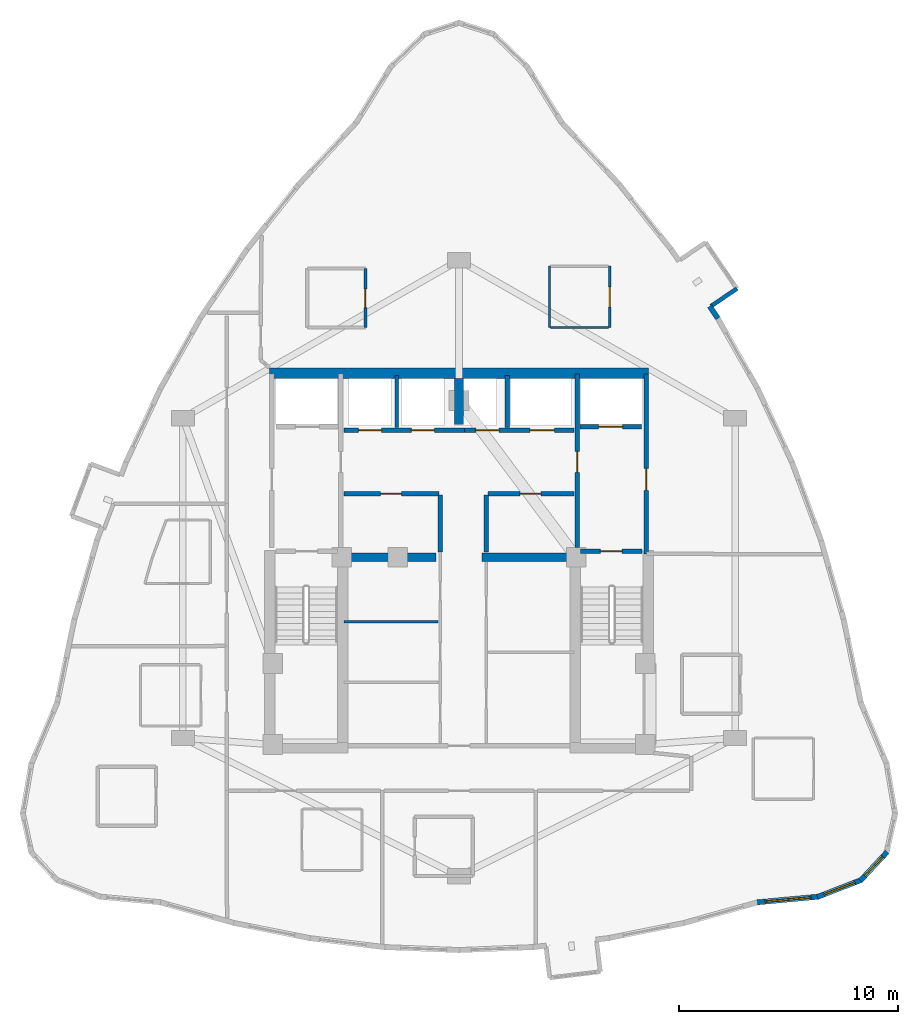
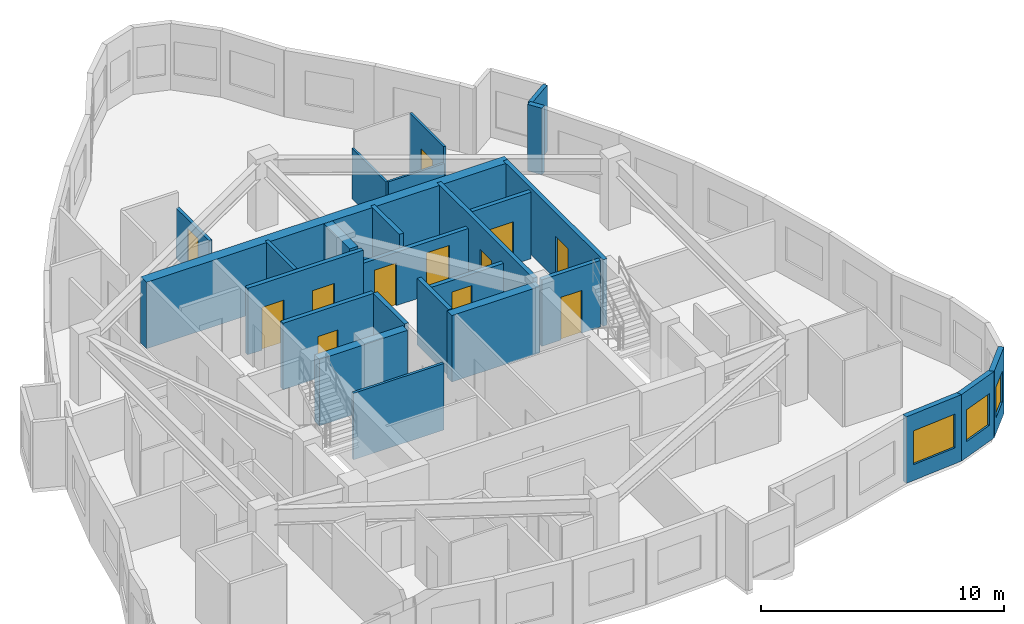
# One storey, part 6 of 9: 26 walls, 12 doors, 3 windows, 15 openings.
"""IFC4 building model written with IfcOpenShell, lengths in metres."""

import ifcopenshell
import ifcopenshell.guid

model = None  # the IFC model being written
_history = None  # IfcOwnerHistory: only IFC2X3 demands one
_inside = {}  # id of a spatial element -> (the spatial element, [elements in it])
_under = {}  # id of a project, library or spatial element -> (it, [spatial elements below it])
_declared = {}  # id of a project -> (the project, [libraries it declares])
_typed = {}  # id of a type object -> (the type object, [elements of that type])
_made_of = {}  # id of a material, layer set ... -> (it, [elements and type objects made of it])


def new_model(schema):
    """Start an empty IFC model of exactly this schema.

    Asked for "IFC4X3", IfcOpenShell would pick the latest addendum, in which some entities
    have other attributes; the version numbers below select the first issue.
    IFC2X3 requires an IfcOwnerHistory on every rooted entity: one is made here for all.
    """
    global model, _history
    if schema == "IFC4X3":
        model = ifcopenshell.file(schema_version=(4, 3, 0, 0))
    else:
        model = ifcopenshell.file(schema=schema)
    _inside.clear()
    _under.clear()
    _declared.clear()
    _typed.clear()
    _made_of.clear()
    _history = None
    if model.schema == "IFC2X3":
        org = make("IfcOrganization", Name="unknown")
        user = make(
            "IfcPersonAndOrganization",
            ThePerson=make("IfcPerson", FamilyName="unknown"),
            TheOrganization=org,
        )
        app = make(
            "IfcApplication",
            ApplicationDeveloper=org,
            Version="unknown",
            ApplicationFullName="unknown",
            ApplicationIdentifier="unknown",
        )
        _history = make(
            "IfcOwnerHistory",
            OwningUser=user,
            OwningApplication=app,
            ChangeAction="ADDED",
            CreationDate=0,
        )
    return model


def make(cls, **values):
    """One entity of the class cls with the attributes given. An attribute that is None is left unset."""
    return model.create_entity(
        cls, **{name: value for name, value in values.items() if value is not None}
    )


def rooted(cls, **values):
    """An entity with a GlobalId (a new one), such as an element, a storey or a relation."""
    return make(cls, GlobalId=ifcopenshell.guid.new(), OwnerHistory=_history, **values)


def si_unit(unit_type, name, prefix=None):
    """IfcSIUnit, for example si_unit("LENGTHUNIT", "METRE", prefix="MILLI")."""
    return make("IfcSIUnit", UnitType=unit_type, Prefix=prefix, Name=name)


def assignment(units):
    """IfcUnitAssignment: the units of a project."""
    return None if units is None else make("IfcUnitAssignment", Units=units)


def point(xyz):
    """IfcCartesianPoint."""
    return None if xyz is None else make("IfcCartesianPoint", Coordinates=xyz)


def direction(xyz):
    """IfcDirection."""
    return None if xyz is None else make("IfcDirection", DirectionRatios=xyz)


def frame(location, z_axis=None, x_axis=None):
    """IfcAxis2Placement3D, a coordinate frame: its origin and axes. An axis left out is left unset."""
    return make(
        "IfcAxis2Placement3D",
        Location=point(location),
        Axis=direction(z_axis),
        RefDirection=direction(x_axis),
    )


def frame_2d(location, x_axis=None):
    """IfcAxis2Placement2D, a coordinate frame in the plane: its origin and x axis."""
    return make(
        "IfcAxis2Placement2D", Location=point(location), RefDirection=direction(x_axis)
    )


def origin():
    """The frame at (0, 0, 0) with its axes left unset."""
    return frame((0.0, 0.0, 0.0))


def place(relative_to, where):
    """IfcLocalPlacement: puts the frame where relative to a parent placement (None: the world)."""
    return make(
        "IfcLocalPlacement", PlacementRelTo=relative_to, RelativePlacement=where
    )


def context(
    kind, dimensions, precision=None, world=None, true_north=None, identifier=None
):
    """IfcGeometricRepresentationContext, for example the 3D "Model" context."""
    return make(
        "IfcGeometricRepresentationContext",
        ContextIdentifier=identifier,
        ContextType=kind,
        CoordinateSpaceDimension=dimensions,
        Precision=precision,
        WorldCoordinateSystem=world,
        TrueNorth=true_north,
    )


def subcontext(parent, identifier, kind, view, scale=None):
    """IfcGeometricRepresentationSubContext, for example "Body" below "Model"."""
    return make(
        "IfcGeometricRepresentationSubContext",
        ContextIdentifier=identifier,
        ContextType=kind,
        ParentContext=parent,
        TargetScale=scale,
        TargetView=view,
    )


def project(units=None, contexts=None):
    """IfcProject with its units and contexts."""
    return rooted(
        "IfcProject",
        Name="project",
        RepresentationContexts=contexts,
        UnitsInContext=assignment(units),
    )


def spatial(cls, under=None, at=None, **own):
    """A site, building, storey or space (cls), placed at a placement, below another one or the project."""
    s = rooted(cls, ObjectPlacement=at, **own)
    if under is not None:
        _under.setdefault(under.id(), (under, []))[1].append(s)
    return s


def profile(cls, at=None, kind="AREA", **sizes):
    """A parametric profile (cls). Its sizes go by their IFC names, for example OverallWidth=200.0."""
    return make(cls, ProfileType=kind, Position=at, **sizes)


def rectangle(**sizes):
    """IfcRectangleProfileDef."""
    return profile("IfcRectangleProfileDef", **sizes)


def extrude(swept, where, along, depth):
    """IfcExtrudedAreaSolid: the profile swept, set in the frame where, extruded along a direction by depth."""
    return make(
        "IfcExtrudedAreaSolid",
        SweptArea=swept,
        Position=where,
        ExtrudedDirection=direction(along),
        Depth=depth,
    )


def shape(context_of_items, identifier, shape_type, items):
    """IfcShapeRepresentation: the items that make up one representation, for example the "Body"."""
    return make(
        "IfcShapeRepresentation",
        ContextOfItems=context_of_items,
        RepresentationIdentifier=identifier,
        RepresentationType=shape_type,
        Items=items,
    )


def material(Name=None, Category=None):
    """IfcMaterial."""
    return make("IfcMaterial", Name=Name, Category=Category)


def layer(
    of_material, thickness, ventilated=None, Name=None, Category=None, Priority=None
):
    """IfcMaterialLayer: one layer of a wall or slab, of a material (None: an air gap)."""
    return make(
        "IfcMaterialLayer",
        Material=of_material,
        LayerThickness=thickness,
        IsVentilated=ventilated,
        Name=Name,
        Category=Category,
        Priority=Priority,
    )


def layer_set(layers, Name=None):
    """IfcMaterialLayerSet."""
    return make("IfcMaterialLayerSet", MaterialLayers=layers, LayerSetName=Name)


def made_of(thing, what):
    """Note that an element or type object is made of a material, layer set ...; save() writes the relation."""
    if what is not None:
        _made_of.setdefault(what.id(), (what, []))[1].append(thing)
    return thing


def type_object(cls, material=None, **own):
    """A type object (cls), such as IfcWallType, which elements share."""
    return made_of(rooted(cls, **own), material)


def element(
    cls,
    number,
    at=None,
    inside=None,
    cuts=None,
    type_object=None,
    material=None,
    context=None,
    identifier="Body",
    shape_type=None,
    held_by="IfcProductDefinitionShape",
    body=None,
    shapes=None,
    **own,
):
    """One element of the class cls, such as IfcWall. Its Tag is "e" and its number.

    at: its placement. inside: the storey or other place that contains it. cuts: it is an
    opening in that element (IfcRelVoidsElement). A single representation is given by context,
    identifier, shape_type and body (its items); several are given by shapes. held_by: the class
    of the entity that holds the representations. save() writes the other relations.
    """
    e = rooted(cls, Tag="e%d" % number, ObjectPlacement=at, **own)
    if body is not None:
        shapes = [shape(context, identifier, shape_type, body)]
    if shapes is not None:
        e.Representation = make(held_by, Representations=shapes)
    if inside is not None:
        _inside.setdefault(inside.id(), (inside, []))[1].append(e)
    if cuts is not None:
        rooted(
            "IfcRelVoidsElement", RelatingBuildingElement=cuts, RelatedOpeningElement=e
        )
    if type_object is not None:
        _typed.setdefault(type_object.id(), (type_object, []))[1].append(e)
    return made_of(e, material)


def fill(opening, filler):
    """IfcRelFillsElement: the door or window that sits in an opening."""
    return rooted(
        "IfcRelFillsElement",
        RelatingOpeningElement=opening,
        RelatedBuildingElement=filler,
    )


def aggregate(whole, parts):
    """IfcRelAggregates: a whole, such as a stair, and the parts it consists of."""
    return rooted("IfcRelAggregates", RelatingObject=whole, RelatedObjects=parts)


def save(model, path):
    """Write the relations noted so far, then the file.

    IfcRelAggregates (storeys below a building ...), IfcRelContainedInSpatialStructure (elements
    in a storey), IfcRelDefinesByType, IfcRelAssociatesMaterial and IfcRelDeclares: one each for
    every whole, place, type object, material and project.
    """
    for whole, parts in _under.values():
        aggregate(whole, parts)
    for where, things in _inside.values():
        rooted(
            "IfcRelContainedInSpatialStructure",
            RelatedElements=things,
            RelatingStructure=where,
        )
    for kind, things in _typed.values():
        rooted("IfcRelDefinesByType", RelatedObjects=things, RelatingType=kind)
    for what, things in _made_of.values():
        rooted("IfcRelAssociatesMaterial", RelatedObjects=things, RelatingMaterial=what)
    for by, libraries in _declared.values():
        rooted("IfcRelDeclares", RelatingContext=by, RelatedDefinitions=libraries)
    model.write(path)


model = new_model("IFC4")

# Units and contexts
model_context = context("Model", 3, precision=1e-05, world=origin(), true_north=direction((0.0, 1.0)))
body_context = subcontext(model_context, "Body", "Model", "MODEL_VIEW")
ifc_project = project(units=[si_unit("LENGTHUNIT", "METRE"), si_unit("AREAUNIT", "SQUARE_METRE"), si_unit("VOLUMEUNIT", "CUBIC_METRE"), si_unit("PLANEANGLEUNIT", "RADIAN"), si_unit("MASSUNIT", "GRAM", prefix="KILO")], contexts=[model_context])

# Site, building, storey
site_placement = place(None, origin())
site = spatial("IfcSite", under=ifc_project, at=site_placement, CompositionType="ELEMENT")
building_placement = place(site_placement, origin())
building = spatial("IfcBuilding", under=site, at=building_placement, Name="Miruveldt Soraemaru", CompositionType="ELEMENT")
storey_placement = place(building_placement, frame((0.0, 0.0, 241.199951171875)))
storey = spatial("IfcBuildingStorey", under=building, at=storey_placement, Name="L66", CompositionType="ELEMENT", Elevation=241.199951171875)

# Walls
ifc_material_1 = material(Name="White powder-coated aluminium EN AW-6060 T6", Category="aluminium")
ifc_layer_1 = layer(ifc_material_1, 0.18994140625, Name="White powder-coated aluminium EN AW-6060 T6", Category="aluminium")
ifc_layer_set_1 = layer_set([ifc_layer_1], Name="White powder-coated aluminium EN AW-6060 T6")
wall_type_1 = type_object("IfcWallType", Name="WALL-BAY-ALU190", PredefinedType="SOLIDWALL", material=ifc_layer_set_1)
wall_1_placement = place(storey_placement, frame((55.5068359375, 55.509521484375, 0.0), z_axis=(0.0, 0.0, 1.0), x_axis=(0.827916124573, 0.56085193293, 0.0)))
element("IfcWall", 1, at=wall_1_placement, inside=storey, type_object=wall_type_1, Name="L66 Bay Window Side Cheek 3L", PredefinedType="SOLIDWALL", context=body_context, shape_type="SweptSolid", body=[
    extrude(rectangle(XDim=1.42529296875, YDim=0.18994140625, at=frame_2d((0.712646484375, 0.0))), origin(), (0.0, 0.0, 1.0), 3.344970703125),
])
ifc_material_2 = material(Name="Concrete C70/85 (70 MPa)", Category="concrete")
ifc_layer_2 = layer(ifc_material_2, 0.5, Name="Concrete C70/85 (70 MPa)", Category="concrete")
ifc_layer_set_2 = layer_set([ifc_layer_2], Name="Concrete C70/85 (70 MPa)")
wall_type_2 = type_object("IfcWallType", Name="WALL-BW-500", PredefinedType="SHEAR", material=ifc_layer_set_2)
wall_2_placement = place(storey_placement, frame((44.0, 50.10009765625, 0.0), z_axis=(0.0, 0.0, 1.0), x_axis=(0.0, 1.0, 0.0)))
element("IfcWall", 2, at=wall_2_placement, inside=storey, type_object=wall_type_2, Name="L66 Core Buttress Shear Wall BN", PredefinedType="SHEAR", context=body_context, shape_type="SweptSolid", body=[
    extrude(rectangle(XDim=2.099853515625, YDim=0.39990234375, at=frame_2d((1.0498046875, 0.0))), origin(), (0.0, 0.0, 1.0), 3.344970703125),
])
for number, where, z_axis, x_axis, name in (
    (3, (38.75, 44.050048828125, 0.0), (0.0, 0.0, 1.0), (1.0, 0.0, 0.0), "L66 Core Buttress Shear Wall BW"),
    (4, (45.050048828125, 44.050048828125, 0.0), (0.0, 0.0, 1.0), (1.0, 0.0, 0.0), "L66 Core Buttress Shear Wall BE"),
):
    element("IfcWall", number, at=place(storey_placement, frame(where, z_axis=z_axis, x_axis=x_axis)), inside=storey, type_object=wall_type_2, Name=name, PredefinedType="SHEAR", context=body_context, shape_type="SweptSolid", body=[
        extrude(rectangle(XDim=4.199951171875, YDim=0.39990234375, at=frame_2d((2.10009765625, 0.0))), origin(), (0.0, 0.0, 1.0), 3.344970703125),
    ])
ifc_material_3 = material(Name="Concrete C60/75 (60 MPa)", Category="concrete")
ifc_layer_3 = layer(ifc_material_3, 0.47998046875, Name="Concrete C60/75 (60 MPa)", Category="concrete")
ifc_layer_set_3 = layer_set([ifc_layer_3], Name="Concrete C60/75 (60 MPa)")
wall_type_3 = type_object("IfcWallType", Name="WALL-CW-480", PredefinedType="SHEAR", material=ifc_layer_set_3)
wall_3_placement = place(storey_placement, frame((35.35009765625, 52.449951171875, 0.0), z_axis=(0.0, 0.0, 1.0), x_axis=(1.0, 0.0, 0.0)))
element("IfcWall", 5, at=wall_3_placement, inside=storey, type_object=wall_type_3, Name="L66 Central Core Shear Wall N", PredefinedType="SHEAR", context=body_context, shape_type="SweptSolid", body=[
    extrude(rectangle(XDim=17.2998046875, YDim=0.47998046875, at=frame_2d((8.64990234375, 0.0))), origin(), (0.0, 0.0, 1.0), 3.344970703125),
])

# Wall, opening, window
ifc_material_4 = material(Name="Precast concrete C45/55 (45 MPa)", Category="concrete")
ifc_layer_4 = layer(ifc_material_4, 0.239990234375, Name="Precast concrete C45/55 (45 MPa)", Category="concrete")
ifc_layer_set_4 = layer_set([ifc_layer_4], Name="Precast concrete C45/55 (45 MPa)")
wall_type_4 = type_object("IfcWallType", Name="WALL-EXT-PC240", PredefinedType="SOLIDWALL", material=ifc_layer_set_4)
wall_4_placement = place(storey_placement, frame((57.616455078125, 28.30078125, 0.0), z_axis=(0.0, 0.0, 1.0), x_axis=(0.995761555679, 0.09197241017, 0.0)))
wall_4 = element("IfcWall", 6, at=wall_4_placement, inside=storey, type_object=wall_type_4, Name="L66 Precast Concrete Facade Wall 29", PredefinedType="SOLIDWALL", context=body_context, shape_type="SweptSolid", body=[
    extrude(rectangle(XDim=2.819091796875, YDim=0.239990234375, at=frame_2d((1.40966796875, 0.0))), origin(), (0.0, 0.0, 1.0), 3.344970703125),
])
opening_1_placement = place(wall_4_placement, frame((0.35888671875, 0.0, 0.800048828125)))
opening_1 = element("IfcOpeningElement", 7, at=opening_1_placement, cuts=wall_4, Name="Opening WN-1", PredefinedType="OPENING", context=body_context, shape_type="SweptSolid", body=[
    extrude(rectangle(XDim=2.10009765625, YDim=1.699951171875, at=frame_2d((1.050048828125, 0.85009765625))), frame((0.0, 0.1298828125, 0.0), z_axis=(0.0, -1.0, 0.0), x_axis=(1.0, 0.0, 0.0)), (0.0, 0.0, 1.0), 0.260009765625),
])
ifc_material_5 = material(Name="Triple low-e insulated glazing", Category="glass")
window_type_1 = type_object("IfcWindowType", Name="WIN-PUNCH-2100x1700", PartitioningType="SINGLE_PANEL", PredefinedType="WINDOW", material=ifc_material_5)
window_1_placement = place(opening_1_placement, origin())
window_1 = element("IfcWindow", 8, at=window_1_placement, inside=storey, type_object=window_type_1, Name="L66 Punched Triple-Glazed Window 29.1", OverallHeight=1.699951171875, OverallWidth=2.10009765625, PartitioningType="SINGLE_PANEL", PredefinedType="WINDOW", context=body_context, shape_type="SweptSolid", body=[
    extrude(rectangle(XDim=2.10009765625, YDim=1.699951171875, at=frame_2d((1.050048828125, 0.85009765625))), frame((0.0, 0.030029296875, 0.0), z_axis=(0.0, -1.0, 0.0), x_axis=(1.0, 0.0, 0.0)), (0.0, 0.0, 1.0), 0.06005859375),
])
fill(opening_1, window_1)

wall_5_placement = place(storey_placement, frame((60.35595703125, 28.544189453125, 0.0), z_axis=(0.0, 0.0, 1.0), x_axis=(0.932287671793, 0.361717703495, 0.0)))
wall_5 = element("IfcWall", 9, at=wall_5_placement, inside=storey, type_object=wall_type_4, Name="L66 Precast Concrete Facade Wall 30", PredefinedType="SOLIDWALL", context=body_context, shape_type="SweptSolid", body=[
    extrude(rectangle(XDim=2.167236328125, YDim=0.239990234375, at=frame_2d((1.08349609375, 0.0))), origin(), (0.0, 0.0, 1.0), 3.344970703125),
])
opening_2_placement = place(wall_5_placement, frame((0.333984375, 0.0, 0.800048828125)))
opening_2 = element("IfcOpeningElement", 10, at=opening_2_placement, cuts=wall_5, Name="Opening WN-3", PredefinedType="OPENING", context=body_context, shape_type="SweptSolid", body=[
    extrude(rectangle(XDim=1.5, YDim=1.60009765625, at=frame_2d((0.75, 0.800048828125))), frame((0.0, 0.1298828125, 0.0), z_axis=(0.0, -1.0, 0.0), x_axis=(1.0, 0.0, 0.0)), (0.0, 0.0, 1.0), 0.260009765625),
])
window_type_2 = type_object("IfcWindowType", Name="WIN-PUNCH-1500x1600", PartitioningType="SINGLE_PANEL", PredefinedType="WINDOW", material=ifc_material_5)
window_2_placement = place(opening_2_placement, origin())
window_2 = element("IfcWindow", 11, at=window_2_placement, inside=storey, type_object=window_type_2, Name="L66 Punched Triple-Glazed Window 30.1", OverallHeight=1.60009765625, OverallWidth=1.5, PartitioningType="SINGLE_PANEL", PredefinedType="WINDOW", context=body_context, shape_type="SweptSolid", body=[
    extrude(rectangle(XDim=1.5, YDim=1.60009765625, at=frame_2d((0.75, 0.800048828125))), frame((0.0, 0.030029296875, 0.0), z_axis=(0.0, -1.0, 0.0), x_axis=(1.0, 0.0, 0.0)), (0.0, 0.0, 1.0), 0.06005859375),
])
fill(opening_2, window_2)

wall_6_placement = place(storey_placement, frame((62.320068359375, 29.289794921875, 0.0), z_axis=(0.0, 0.0, 1.0), x_axis=(0.680153639161, 0.733069592287, 0.0)))
wall_6 = element("IfcWall", 12, at=wall_6_placement, inside=storey, type_object=wall_type_4, Name="L66 Precast Concrete Facade Wall 31", PredefinedType="SOLIDWALL", context=body_context, shape_type="SweptSolid", body=[
    extrude(rectangle(XDim=1.794677734375, YDim=0.239990234375, at=frame_2d((0.8974609375, 0.0))), origin(), (0.0, 0.0, 1.0), 3.344970703125),
])
opening_3_placement = place(wall_6_placement, frame((0.297119140625, 0.0, 0.780029296875)))
opening_3 = element("IfcOpeningElement", 13, at=opening_3_placement, cuts=wall_6, Name="Opening WN-4", PredefinedType="OPENING", context=body_context, shape_type="SweptSolid", body=[
    extrude(rectangle(XDim=1.199951171875, YDim=1.550048828125, at=frame_2d((0.60009765625, 0.77490234375))), frame((0.0, 0.1298828125, 0.0), z_axis=(0.0, -1.0, 0.0), x_axis=(1.0, 0.0, 0.0)), (0.0, 0.0, 1.0), 0.260009765625),
])
window_type_3 = type_object("IfcWindowType", Name="WIN-PUNCH-1200x1550", PartitioningType="SINGLE_PANEL", PredefinedType="WINDOW", material=ifc_material_5)
window_3_placement = place(opening_3_placement, origin())
window_3 = element("IfcWindow", 14, at=window_3_placement, inside=storey, type_object=window_type_3, Name="L66 Punched Triple-Glazed Window 31.1", OverallHeight=1.550048828125, OverallWidth=1.199951171875, PartitioningType="SINGLE_PANEL", PredefinedType="WINDOW", context=body_context, shape_type="SweptSolid", body=[
    extrude(rectangle(XDim=1.199951171875, YDim=1.550048828125, at=frame_2d((0.60009765625, 0.77490234375))), frame((0.0, 0.030029296875, 0.0), z_axis=(0.0, -1.0, 0.0), x_axis=(1.0, 0.0, 0.0)), (0.0, 0.0, 1.0), 0.06005859375),
])
fill(opening_3, window_3)

# Wall
wall_7_placement = place(storey_placement, frame((55.8173828125, 54.953125, 0.0), z_axis=(0.0, 0.0, 1.0), x_axis=(-0.560701993018, 0.828017677967, 0.0)))
element("IfcWall", 15, at=wall_7_placement, inside=storey, type_object=wall_type_4, Name="L66 Precast Pier Wall 40A", PredefinedType="SOLIDWALL", context=body_context, shape_type="SweptSolid", body=[
    extrude(rectangle(XDim=0.664794921875, YDim=0.239990234375, at=frame_2d((0.33251953125, 0.0))), origin(), (0.0, 0.0, 1.0), 3.344970703125),
])

# Wall, opening, door
ifc_material_6 = material(Name="Gypsum plasterboard lining", Category="gypsum")
ifc_layer_5 = layer(ifc_material_6, 0.10009765625, Name="Gypsum plasterboard lining", Category="gypsum")
ifc_layer_set_5 = layer_set([ifc_layer_5], Name="Gypsum plasterboard lining")
wall_type_5 = type_object("IfcWallType", Name="WALL-INT-P100", PredefinedType="PARTITIONING", material=ifc_layer_set_5)
wall_8_placement = place(storey_placement, frame((50.8798828125, 54.530029296875, 0.0), z_axis=(0.0, 0.0, 1.0), x_axis=(0.0, 1.0, 0.0)))
wall_8 = element("IfcWall", 16, at=wall_8_placement, inside=storey, type_object=wall_type_5, Name="L66 Partition Wall 17", PredefinedType="PARTITIONING", context=body_context, shape_type="SweptSolid", body=[
    extrude(rectangle(XDim=2.800048828125, YDim=0.10009765625, at=frame_2d((1.39990234375, 0.0))), origin(), (0.0, 0.0, 1.0), 3.344970703125),
])
opening_4_placement = place(wall_8_placement, frame((0.93994140625, 0.0, 0.0)))
opening_4 = element("IfcOpeningElement", 17, at=opening_4_placement, cuts=wall_8, Name="Opening D3A", PredefinedType="OPENING", context=body_context, shape_type="SweptSolid", body=[
    extrude(rectangle(XDim=0.919921875, YDim=2.10009765625, at=frame_2d((0.4599609375, 1.050048828125))), frame((0.0, 0.06005859375, 0.0), z_axis=(0.0, -1.0, 0.0), x_axis=(1.0, 0.0, 0.0)), (0.0, 0.0, 1.0), 0.1201171875),
])
ifc_material_7 = material(Name="Anodised aluminium EN AW-6063 T6", Category="aluminium")
door_type_1 = type_object("IfcDoorType", Name="DOOR-INT-920", OperationType="NOTDEFINED", PredefinedType="DOOR", material=ifc_material_7)
door_1_placement = place(opening_4_placement, origin())
door_1 = element("IfcDoor", 18, at=door_1_placement, inside=storey, type_object=door_type_1, Name="L66 Unit CL01 KIT Door", OperationType="SINGLE_SWING_RIGHT", OverallHeight=2.10009765625, OverallWidth=0.919921875, PredefinedType="DOOR", context=body_context, shape_type="SweptSolid", body=[
    extrude(rectangle(XDim=0.919921875, YDim=2.10009765625, at=frame_2d((0.4599609375, 1.050048828125))), frame((0.0, 0.02490234375, 0.0), z_axis=(0.0, -1.0, 0.0), x_axis=(1.0, 0.0, 0.0)), (0.0, 0.0, 1.0), 0.050048828125),
])
fill(opening_4, door_1)

# Walls
wall_9_placement = place(storey_placement, frame((48.1298828125, 57.330078125, 0.0), z_axis=(0.0, 0.0, 1.0), x_axis=(0.0, -1.0, 0.0)))
element("IfcWall", 19, at=wall_9_placement, inside=storey, type_object=wall_type_5, Name="L66 Partition Wall 19", PredefinedType="PARTITIONING", context=body_context, shape_type="SweptSolid", body=[
    extrude(rectangle(XDim=2.800048828125, YDim=0.10009765625, at=frame_2d((1.39990234375, 0.0))), origin(), (0.0, 0.0, 1.0), 2.532958984375),
])
wall_10_placement = place(storey_placement, frame((48.179931640625, 54.530029296875, 0.0), z_axis=(0.0, 0.0, 1.0), x_axis=(1.0, 0.0, 0.0)))
element("IfcWall", 20, at=wall_10_placement, inside=storey, type_object=wall_type_5, Name="L66 Partition Wall 20", PredefinedType="PARTITIONING", context=body_context, shape_type="SweptSolid", body=[
    extrude(rectangle(XDim=2.650146484375, YDim=0.10009765625, at=frame_2d((1.3251953125, 0.0))), origin(), (0.0, 0.0, 1.0), 2.532958984375),
])
ifc_layer_6 = layer(ifc_material_6, 0.1201171875, Name="Gypsum plasterboard lining", Category="gypsum")
ifc_layer_set_6 = layer_set([ifc_layer_6], Name="Gypsum plasterboard lining")
wall_type_6 = type_object("IfcWallType", Name="WALL-INT-P120", PredefinedType="PARTITIONING", material=ifc_layer_set_6)
wall_11_placement = place(storey_placement, frame((38.75, 41.10009765625, 0.0), z_axis=(0.0, 0.0, 1.0), x_axis=(1.0, 0.0, 0.0)))
element("IfcWall", 21, at=wall_11_placement, inside=storey, type_object=wall_type_6, Name="L66 Core Compartment Wall RL-W3B", PredefinedType="PARTITIONING", context=body_context, shape_type="SweptSolid", body=[
    extrude(rectangle(XDim=4.300048828125, YDim=0.1201171875, at=frame_2d((2.14990234375, 0.0))), origin(), (0.0, 0.0, 1.0), 3.344970703125),
])

# Wall, opening, door
ifc_layer_7 = layer(ifc_material_6, 0.14990234375, Name="Gypsum plasterboard lining", Category="gypsum")
ifc_layer_set_7 = layer_set([ifc_layer_7], Name="Gypsum plasterboard lining")
wall_type_7 = type_object("IfcWallType", Name="WALL-INT-PLUMB", PredefinedType="PLUMBINGWALL", material=ifc_layer_set_7)
wall_12_placement = place(storey_placement, frame((39.72998046875, 54.530029296875, 0.0), z_axis=(0.0, 0.0, 1.0), x_axis=(0.0, 1.0, 0.0)))
wall_12 = element("IfcWall", 22, at=wall_12_placement, inside=storey, type_object=wall_type_7, Name="L66 Partition Wall 13", PredefinedType="PLUMBINGWALL", context=body_context, shape_type="SweptSolid", body=[
    extrude(rectangle(XDim=2.699951171875, YDim=0.14990234375, at=frame_2d((1.35009765625, 0.0))), origin(), (0.0, 0.0, 1.0), 2.532958984375),
])
opening_5_placement = place(wall_12_placement, frame((0.909912109375, 0.0, 0.0)))
opening_5 = element("IfcOpeningElement", 23, at=opening_5_placement, cuts=wall_12, Name="Opening FD3", PredefinedType="OPENING", context=body_context, shape_type="SweptSolid", body=[
    extrude(rectangle(XDim=0.85009765625, YDim=2.10009765625, at=frame_2d((0.425048828125, 1.050048828125))), frame((0.0, 0.0849609375, 0.0), z_axis=(0.0, -1.0, 0.0), x_axis=(1.0, 0.0, 0.0)), (0.0, 0.0, 1.0), 0.169921875),
])
door_type_2 = type_object("IfcDoorType", Name="DOOR-FD3-850", OperationType="NOTDEFINED", PredefinedType="DOOR", material=ifc_material_7)
door_2_placement = place(opening_5_placement, origin())
door_2 = element("IfcDoor", 24, at=door_2_placement, inside=storey, type_object=door_type_2, Name="L66 Unit CL01 BTH Door", OperationType="SINGLE_SWING_LEFT", OverallHeight=2.10009765625, OverallWidth=0.85009765625, PredefinedType="DOOR", context=body_context, shape_type="SweptSolid", body=[
    extrude(rectangle(XDim=0.85009765625, YDim=2.10009765625, at=frame_2d((0.425048828125, 1.050048828125))), frame((0.0, 0.02490234375, 0.0), z_axis=(0.0, -1.0, 0.0), x_axis=(1.0, 0.0, 0.0)), (0.0, 0.0, 1.0), 0.050048828125),
])
fill(opening_5, door_2)

# Wall
ifc_material_8 = material(Name="Concrete C40/50 (40 MPa)", Category="concrete")
ifc_layer_8 = layer(ifc_material_8, 0.159912109375, Name="Concrete C40/50 (40 MPa)", Category="concrete")
ifc_layer_set_8 = layer_set([ifc_layer_8], Name="Concrete C40/50 (40 MPa)")
wall_type_8 = type_object("IfcWallType", Name="WALL-INT-RC160", PredefinedType="SOLIDWALL", material=ifc_layer_set_8)
wall_13_placement = place(storey_placement, frame((41.14990234375, 49.97998046875, 0.0), z_axis=(0.0, 0.0, 1.0), x_axis=(0.0, 1.0, 0.0)))
element("IfcWall", 25, at=wall_13_placement, inside=storey, type_object=wall_type_8, Name="L66 Core Compartment Wall PLH-DIV1", PredefinedType="SOLIDWALL", context=body_context, shape_type="SweptSolid", body=[
    extrude(rectangle(XDim=2.3701171875, YDim=0.159912109375, at=frame_2d((1.18505859375, 0.0))), origin(), (0.0, 0.0, 1.0), 3.344970703125),
])

# Wall, opening, door
ifc_layer_9 = layer(ifc_material_8, 0.199951171875, Name="Concrete C40/50 (40 MPa)", Category="concrete")
ifc_layer_set_9 = layer_set([ifc_layer_9], Name="Concrete C40/50 (40 MPa)")
wall_type_9 = type_object("IfcWallType", Name="WALL-INT-RC200", PredefinedType="SOLIDWALL", material=ifc_layer_set_9)
wall_14_placement = place(storey_placement, frame((52.550048828125, 44.205322265625, 0.0), z_axis=(0.0, 0.0, 1.0), x_axis=(0.0, 1.0, 0.0)))
wall_14 = element("IfcWall", 26, at=wall_14_placement, inside=storey, type_object=wall_type_9, Name="L66 Core Compartment Wall FFE-OUT", PredefinedType="SOLIDWALL", context=body_context, shape_type="SweptSolid", body=[
    extrude(rectangle(XDim=8.214599609375, YDim=0.199951171875, at=frame_2d((4.107421875, 0.0))), origin(), (0.0, 0.0, 1.0), 3.344970703125),
])
opening_6_placement = place(wall_14_placement, frame((2.89501953125, 0.0, 0.0)))
opening_6 = element("IfcOpeningElement", 27, at=opening_6_placement, cuts=wall_14, Name="Opening FD1", PredefinedType="OPENING", context=body_context, shape_type="SweptSolid", body=[
    extrude(rectangle(XDim=1.0, YDim=2.14990234375, at=frame_2d((0.5, 1.074951171875))), frame((0.0, 0.10986328125, 0.0), z_axis=(0.0, -1.0, 0.0), x_axis=(1.0, 0.0, 0.0)), (0.0, 0.0, 1.0), 0.219970703125),
])
door_type_3 = type_object("IfcDoorType", Name="DOOR-FD1-1000", OperationType="NOTDEFINED", PredefinedType="DOOR", material=ifc_material_7)
door_3_placement = place(opening_6_placement, frame((1.0, 0.0, 0.0), z_axis=(0.0, 0.0, 1.0), x_axis=(-1.0, 0.0, 0.0)))
door_3 = element("IfcDoor", 28, at=door_3_placement, inside=storey, type_object=door_type_3, Name="L66 East Firefighting Lobby Exit Door", OperationType="SINGLE_SWING_RIGHT", OverallHeight=2.14990234375, OverallWidth=1.0, PredefinedType="DOOR", context=body_context, shape_type="SweptSolid", body=[
    extrude(rectangle(XDim=1.0, YDim=2.14990234375, at=frame_2d((0.5, 1.074951171875))), frame((0.0, 0.02490234375, 0.0), z_axis=(0.0, -1.0, 0.0), x_axis=(1.0, 0.0, 0.0)), (0.0, 0.0, 1.0), 0.050048828125),
])
fill(opening_6, door_3)

wall_15_placement = place(storey_placement, frame((49.39990234375, 44.5, 0.0), z_axis=(0.0, 0.0, 1.0), x_axis=(0.0, 1.0, 0.0)))
wall_15 = element("IfcWall", 29, at=wall_15_placement, inside=storey, type_object=wall_type_9, Name="L66 Core Compartment Wall FFE-IN", PredefinedType="SOLIDWALL", context=body_context, shape_type="SweptSolid", body=[
    extrude(rectangle(XDim=7.919921875, YDim=0.199951171875, at=frame_2d((3.9599609375, 0.0))), origin(), (0.0, 0.0, 1.0), 3.344970703125),
])
opening_7_placement = place(wall_15_placement, frame((3.425048828125, 0.0, 0.0)))
opening_7 = element("IfcOpeningElement", 30, at=opening_7_placement, cuts=wall_15, Name="Opening FD2", PredefinedType="OPENING", context=body_context, shape_type="SweptSolid", body=[
    extrude(rectangle(XDim=0.949951171875, YDim=2.14990234375, at=frame_2d((0.47509765625, 1.074951171875))), frame((0.0, 0.10986328125, 0.0), z_axis=(0.0, -1.0, 0.0), x_axis=(1.0, 0.0, 0.0)), (0.0, 0.0, 1.0), 0.219970703125),
])
door_type_4 = type_object("IfcDoorType", Name="DOOR-FD2-950", OperationType="NOTDEFINED", PredefinedType="DOOR", material=ifc_material_7)
door_4_placement = place(opening_7_placement, origin())
door_4 = element("IfcDoor", 31, at=door_4_placement, inside=storey, type_object=door_type_4, Name="L66 Lift Lobby to East Fire Lobby Door", OperationType="SINGLE_SWING_LEFT", OverallHeight=2.14990234375, OverallWidth=0.949951171875, PredefinedType="DOOR", context=body_context, shape_type="SweptSolid", body=[
    extrude(rectangle(XDim=0.949951171875, YDim=2.14990234375, at=frame_2d((0.47509765625, 1.074951171875))), frame((0.0, 0.02490234375, 0.0), z_axis=(0.0, -1.0, 0.0), x_axis=(1.0, 0.0, 0.0)), (0.0, 0.0, 1.0), 0.050048828125),
])
fill(opening_7, door_4)

# Wall, openings, doors
wall_16_placement = place(storey_placement, frame((38.75, 49.85009765625, 0.0), z_axis=(0.0, 0.0, 1.0), x_axis=(1.0, 0.0, 0.0)))
wall_16 = element("IfcWall", 32, at=wall_16_placement, inside=storey, type_object=wall_type_9, Name="L66 Core Compartment Wall ROWA-SW", PredefinedType="SOLIDWALL", context=body_context, shape_type="SweptSolid", body=[
    extrude(rectangle(XDim=5.5, YDim=0.199951171875, at=frame_2d((2.75, 0.0))), origin(), (0.0, 0.0, 1.0), 3.344970703125),
])
opening_8_placement = place(wall_16_placement, frame((0.675048828125, 0.0, 0.0)))
opening_8 = element("IfcOpeningElement", 33, at=opening_8_placement, cuts=wall_16, Name="Opening LD1", PredefinedType="OPENING", context=body_context, shape_type="SweptSolid", body=[
    extrude(rectangle(XDim=1.050048828125, YDim=2.14990234375, at=frame_2d((0.52490234375, 1.074951171875))), frame((0.0, 0.10986328125, 0.0), z_axis=(0.0, -1.0, 0.0), x_axis=(1.0, 0.0, 0.0)), (0.0, 0.0, 1.0), 0.219970703125),
])
opening_9_placement = place(wall_16_placement, frame((3.074951171875, 0.0, 0.0)))
opening_9 = element("IfcOpeningElement", 34, at=opening_9_placement, cuts=wall_16, Name="Opening LD1", PredefinedType="OPENING", context=body_context, shape_type="SweptSolid", body=[
    extrude(rectangle(XDim=1.050048828125, YDim=2.14990234375, at=frame_2d((0.52490234375, 1.074951171875))), frame((0.0, 0.10986328125, 0.0), z_axis=(0.0, -1.0, 0.0), x_axis=(1.0, 0.0, 0.0)), (0.0, 0.0, 1.0), 0.219970703125),
])
door_type_5 = type_object("IfcDoorType", Name="DOOR-LD1-1050", OperationType="SLIDING_TO_LEFT", PredefinedType="DOOR", material=ifc_material_7)
door_5_placement = place(opening_8_placement, origin())
door_5 = element("IfcDoor", 35, at=door_5_placement, inside=storey, type_object=door_type_5, Name="L66 PL-H1 Landing Door", OperationType="SLIDING_TO_LEFT", OverallHeight=2.14990234375, OverallWidth=1.050048828125, PredefinedType="DOOR", context=body_context, shape_type="SweptSolid", body=[
    extrude(rectangle(XDim=1.050048828125, YDim=2.14990234375, at=frame_2d((0.52490234375, 1.074951171875))), frame((0.0, 0.02490234375, 0.0), z_axis=(0.0, -1.0, 0.0), x_axis=(1.0, 0.0, 0.0)), (0.0, 0.0, 1.0), 0.050048828125),
])
fill(opening_8, door_5)
door_6_placement = place(opening_9_placement, origin())
door_6 = element("IfcDoor", 36, at=door_6_placement, inside=storey, type_object=door_type_5, Name="L66 PL-H2 Landing Door", OperationType="SLIDING_TO_LEFT", OverallHeight=2.14990234375, OverallWidth=1.050048828125, PredefinedType="DOOR", context=body_context, shape_type="SweptSolid", body=[
    extrude(rectangle(XDim=1.050048828125, YDim=2.14990234375, at=frame_2d((0.52490234375, 1.074951171875))), frame((0.0, 0.02490234375, 0.0), z_axis=(0.0, -1.0, 0.0), x_axis=(1.0, 0.0, 0.0)), (0.0, 0.0, 1.0), 0.050048828125),
])
fill(opening_9, door_6)

wall_17_placement = place(storey_placement, frame((44.25, 49.85009765625, 0.0), z_axis=(0.0, 0.0, 1.0), x_axis=(1.0, 0.0, 0.0)))
wall_17 = element("IfcWall", 37, at=wall_17_placement, inside=storey, type_object=wall_type_9, Name="L66 Core Compartment Wall ROWA-SE", PredefinedType="SOLIDWALL", context=body_context, shape_type="SweptSolid", body=[
    extrude(rectangle(XDim=5.0, YDim=0.199951171875, at=frame_2d((2.5, 0.0))), origin(), (0.0, 0.0, 1.0), 2.68310546875),
])
opening_10_placement = place(wall_17_placement, frame((0.52490234375, 0.0, 0.0)))
opening_10 = element("IfcOpeningElement", 38, at=opening_10_placement, cuts=wall_17, Name="Opening LD1", PredefinedType="OPENING", context=body_context, shape_type="SweptSolid", body=[
    extrude(rectangle(XDim=1.050048828125, YDim=2.14990234375, at=frame_2d((0.52490234375, 1.074951171875))), frame((0.0, 0.10986328125, 0.0), z_axis=(0.0, -1.0, 0.0), x_axis=(1.0, 0.0, 0.0)), (0.0, 0.0, 1.0), 0.219970703125),
])
opening_11_placement = place(wall_17_placement, frame((3.0, 0.0, 0.0)))
opening_11 = element("IfcOpeningElement", 39, at=opening_11_placement, cuts=wall_17, Name="Opening LD2", PredefinedType="OPENING", context=body_context, shape_type="SweptSolid", body=[
    extrude(rectangle(XDim=1.10009765625, YDim=2.14990234375, at=frame_2d((0.550048828125, 1.074951171875))), frame((0.0, 0.10986328125, 0.0), z_axis=(0.0, -1.0, 0.0), x_axis=(1.0, 0.0, 0.0)), (0.0, 0.0, 1.0), 0.219970703125),
])
door_7_placement = place(opening_10_placement, origin())
door_7 = element("IfcDoor", 40, at=door_7_placement, inside=storey, type_object=door_type_5, Name="L66 PL-H3 Landing Door", OperationType="SLIDING_TO_LEFT", OverallHeight=2.14990234375, OverallWidth=1.050048828125, PredefinedType="DOOR", context=body_context, shape_type="SweptSolid", body=[
    extrude(rectangle(XDim=1.050048828125, YDim=2.14990234375, at=frame_2d((0.52490234375, 1.074951171875))), frame((0.0, 0.02490234375, 0.0), z_axis=(0.0, -1.0, 0.0), x_axis=(1.0, 0.0, 0.0)), (0.0, 0.0, 1.0), 0.050048828125),
])
fill(opening_10, door_7)
door_type_6 = type_object("IfcDoorType", Name="DOOR-LD2-1100", OperationType="SLIDING_TO_LEFT", PredefinedType="DOOR", material=ifc_material_7)
door_8_placement = place(opening_11_placement, origin())
door_8 = element("IfcDoor", 41, at=door_8_placement, inside=storey, type_object=door_type_6, Name="L66 SL-1 Landing Door", OperationType="SLIDING_TO_LEFT", OverallHeight=2.14990234375, OverallWidth=1.10009765625, PredefinedType="DOOR", context=body_context, shape_type="SweptSolid", body=[
    extrude(rectangle(XDim=1.10009765625, YDim=2.14990234375, at=frame_2d((0.550048828125, 1.074951171875))), frame((0.0, 0.02490234375, 0.0), z_axis=(0.0, -1.0, 0.0), x_axis=(1.0, 0.0, 0.0)), (0.0, 0.0, 1.0), 0.050048828125),
])
fill(opening_11, door_8)

# Wall, opening, door
wall_18_placement = place(storey_placement, frame((38.75, 46.949951171875, 0.0), z_axis=(0.0, 0.0, 1.0), x_axis=(1.0, 0.0, 0.0)))
wall_18 = element("IfcWall", 42, at=wall_18_placement, inside=storey, type_object=wall_type_9, Name="L66 Core Compartment Wall MBW-N", PredefinedType="SOLIDWALL", context=body_context, shape_type="SweptSolid", body=[
    extrude(rectangle(XDim=4.330078125, YDim=0.199951171875, at=frame_2d((2.1650390625, 0.0))), origin(), (0.0, 0.0, 1.0), 3.344970703125),
])
opening_12_placement = place(wall_18_placement, frame((1.675048828125, 0.0, 0.0)))
opening_12 = element("IfcOpeningElement", 43, at=opening_12_placement, cuts=wall_18, Name="Opening D2", PredefinedType="OPENING", context=body_context, shape_type="SweptSolid", body=[
    extrude(rectangle(XDim=0.949951171875, YDim=2.10009765625, at=frame_2d((0.47509765625, 1.050048828125))), frame((0.0, 0.10986328125, 0.0), z_axis=(0.0, -1.0, 0.0), x_axis=(1.0, 0.0, 0.0)), (0.0, 0.0, 1.0), 0.219970703125),
])
door_type_7 = type_object("IfcDoorType", Name="DOOR-INT-950", OperationType="NOTDEFINED", PredefinedType="DOOR", material=ifc_material_7)
door_9_placement = place(opening_12_placement, origin())
door_9 = element("IfcDoor", 44, at=door_9_placement, inside=storey, type_object=door_type_7, Name="L66 Fire Door", OperationType="SINGLE_SWING_LEFT", OverallHeight=2.10009765625, OverallWidth=0.949951171875, PredefinedType="DOOR", context=body_context, shape_type="SweptSolid", body=[
    extrude(rectangle(XDim=0.949951171875, YDim=2.10009765625, at=frame_2d((0.47509765625, 1.050048828125))), frame((0.0, 0.02490234375, 0.0), z_axis=(0.0, -1.0, 0.0), x_axis=(1.0, 0.0, 0.0)), (0.0, 0.0, 1.0), 0.050048828125),
])
fill(opening_12, door_9)

wall_19_placement = place(storey_placement, frame((45.320068359375, 46.949951171875, 0.0), z_axis=(0.0, 0.0, 1.0), x_axis=(1.0, 0.0, 0.0)))
wall_19 = element("IfcWall", 45, at=wall_19_placement, inside=storey, type_object=wall_type_9, Name="L66 Core Compartment Wall MBE-N", PredefinedType="SOLIDWALL", context=body_context, shape_type="SweptSolid", body=[
    extrude(rectangle(XDim=3.929931640625, YDim=0.199951171875, at=frame_2d((1.96484375, 0.0))), origin(), (0.0, 0.0, 1.0), 2.68310546875),
])
opening_13_placement = place(wall_19_placement, frame((1.47509765625, 0.0, 0.0)))
opening_13 = element("IfcOpeningElement", 46, at=opening_13_placement, cuts=wall_19, Name="Opening D2", PredefinedType="OPENING", context=body_context, shape_type="SweptSolid", body=[
    extrude(rectangle(XDim=0.949951171875, YDim=2.10009765625, at=frame_2d((0.47509765625, 1.050048828125))), frame((0.0, 0.10986328125, 0.0), z_axis=(0.0, -1.0, 0.0), x_axis=(1.0, 0.0, 0.0)), (0.0, 0.0, 1.0), 0.219970703125),
])
door_10_placement = place(opening_13_placement, origin())
door_10 = element("IfcDoor", 47, at=door_10_placement, inside=storey, type_object=door_type_7, Name="L66 Fire Door", OperationType="SINGLE_SWING_LEFT", OverallHeight=2.10009765625, OverallWidth=0.949951171875, PredefinedType="DOOR", context=body_context, shape_type="SweptSolid", body=[
    extrude(rectangle(XDim=0.949951171875, YDim=2.10009765625, at=frame_2d((0.47509765625, 1.050048828125))), frame((0.0, 0.02490234375, 0.0), z_axis=(0.0, -1.0, 0.0), x_axis=(1.0, 0.0, 0.0)), (0.0, 0.0, 1.0), 0.050048828125),
])
fill(opening_13, door_10)

wall_20_placement = place(storey_placement, frame((49.550048828125, 44.320068359375, 0.0), z_axis=(0.0, 0.0, 1.0), x_axis=(1.0, 0.0, 0.0)))
wall_20 = element("IfcWall", 48, at=wall_20_placement, inside=storey, type_object=wall_type_9, Name="L66 Core Compartment Wall ST2-N", PredefinedType="SOLIDWALL", context=body_context, shape_type="SweptSolid", body=[
    extrude(rectangle(XDim=2.800048828125, YDim=0.199951171875, at=frame_2d((1.39990234375, 0.0))), origin(), (0.0, 0.0, 1.0), 3.344970703125),
])
opening_14_placement = place(wall_20_placement, frame((0.89990234375, 0.0, 0.0)))
opening_14 = element("IfcOpeningElement", 49, at=opening_14_placement, cuts=wall_20, Name="Opening FD1", PredefinedType="OPENING", context=body_context, shape_type="SweptSolid", body=[
    extrude(rectangle(XDim=1.0, YDim=2.14990234375, at=frame_2d((0.5, 1.074951171875))), frame((0.0, 0.10986328125, 0.0), z_axis=(0.0, -1.0, 0.0), x_axis=(1.0, 0.0, 0.0)), (0.0, 0.0, 1.0), 0.219970703125),
])
door_11_placement = place(opening_14_placement, frame((1.0, 0.0, 0.0), z_axis=(0.0, 0.0, 1.0), x_axis=(-1.0, 0.0, 0.0)))
door_11 = element("IfcDoor", 50, at=door_11_placement, inside=storey, type_object=door_type_3, Name="L66 Stair ST-2 Fire Door", OperationType="SINGLE_SWING_RIGHT", OverallHeight=2.14990234375, OverallWidth=1.0, PredefinedType="DOOR", context=body_context, shape_type="SweptSolid", body=[
    extrude(rectangle(XDim=1.0, YDim=2.14990234375, at=frame_2d((0.5, 1.074951171875))), frame((0.0, 0.02490234375, 0.0), z_axis=(0.0, -1.0, 0.0), x_axis=(1.0, 0.0, 0.0)), (0.0, 0.0, 1.0), 0.050048828125),
])
fill(opening_14, door_11)

wall_21_placement = place(storey_placement, frame((49.52001953125, 50.0, 0.0), z_axis=(0.0, 0.0, 1.0), x_axis=(1.0, 0.0, 0.0)))
wall_21 = element("IfcWall", 51, at=wall_21_placement, inside=storey, type_object=wall_type_9, Name="L66 Core Compartment Wall FFL2-S", PredefinedType="SOLIDWALL", context=body_context, shape_type="SweptSolid", body=[
    extrude(rectangle(XDim=2.800048828125, YDim=0.199951171875, at=frame_2d((1.39990234375, 0.0))), origin(), (0.0, 0.0, 1.0), 3.344970703125),
])
opening_15_placement = place(wall_21_placement, frame((0.85009765625, 0.0, 0.0)))
opening_15 = element("IfcOpeningElement", 52, at=opening_15_placement, cuts=wall_21, Name="Opening LD2", PredefinedType="OPENING", context=body_context, shape_type="SweptSolid", body=[
    extrude(rectangle(XDim=1.10009765625, YDim=2.14990234375, at=frame_2d((0.550048828125, 1.074951171875))), frame((0.0, 0.10986328125, 0.0), z_axis=(0.0, -1.0, 0.0), x_axis=(1.0, 0.0, 0.0)), (0.0, 0.0, 1.0), 0.219970703125),
])
door_12_placement = place(opening_15_placement, origin())
door_12 = element("IfcDoor", 53, at=door_12_placement, inside=storey, type_object=door_type_6, Name="L66 FFL-2 Landing Door", OperationType="SLIDING_TO_LEFT", OverallHeight=2.14990234375, OverallWidth=1.10009765625, PredefinedType="DOOR", context=body_context, shape_type="SweptSolid", body=[
    extrude(rectangle(XDim=1.10009765625, YDim=2.14990234375, at=frame_2d((0.550048828125, 1.074951171875))), frame((0.0, 0.02490234375, 0.0), z_axis=(0.0, -1.0, 0.0), x_axis=(1.0, 0.0, 0.0)), (0.0, 0.0, 1.0), 0.050048828125),
])
fill(opening_15, door_12)

# Walls
for number, where, z_axis, x_axis, name in (
    (54, (43.14990234375, 44.300048828125, 0.0), (0.0, 0.0, 1.0), (0.0, 1.0, 0.0), "L66 Core Compartment Wall SP-WB"),
    (55, (45.25, 44.300048828125, 0.0), (0.0, 0.0, 1.0), (0.0, 1.0, 0.0), "L66 Core Compartment Wall SP-EB"),
):
    element("IfcWall", number, at=place(storey_placement, frame(where, z_axis=z_axis, x_axis=x_axis)), inside=storey, type_object=wall_type_9, Name=name, PredefinedType="SOLIDWALL", context=body_context, shape_type="SweptSolid", body=[
        extrude(rectangle(XDim=2.579833984375, YDim=0.199951171875, at=frame_2d((1.2900390625, 0.0))), origin(), (0.0, 0.0, 1.0), 3.344970703125),
    ])
wall_22_placement = place(storey_placement, frame((46.199951171875, 49.97998046875, 0.0), z_axis=(0.0, 0.0, 1.0), x_axis=(0.0, 1.0, 0.0)))
element("IfcWall", 56, at=wall_22_placement, inside=storey, type_object=wall_type_9, Name="L66 Core Compartment Wall PLH-SL-DIV", PredefinedType="SOLIDWALL", context=body_context, shape_type="SweptSolid", body=[
    extrude(rectangle(XDim=2.3701171875, YDim=0.199951171875, at=frame_2d((1.18505859375, 0.0))), origin(), (0.0, 0.0, 1.0), 3.344970703125),
])

save(model, "model.ifc")
